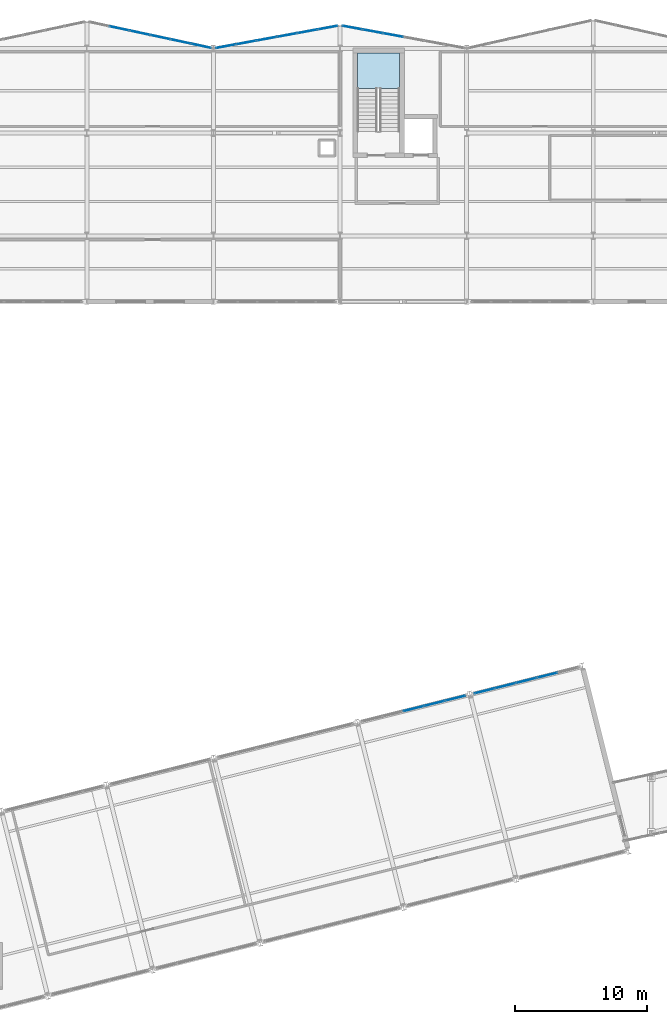
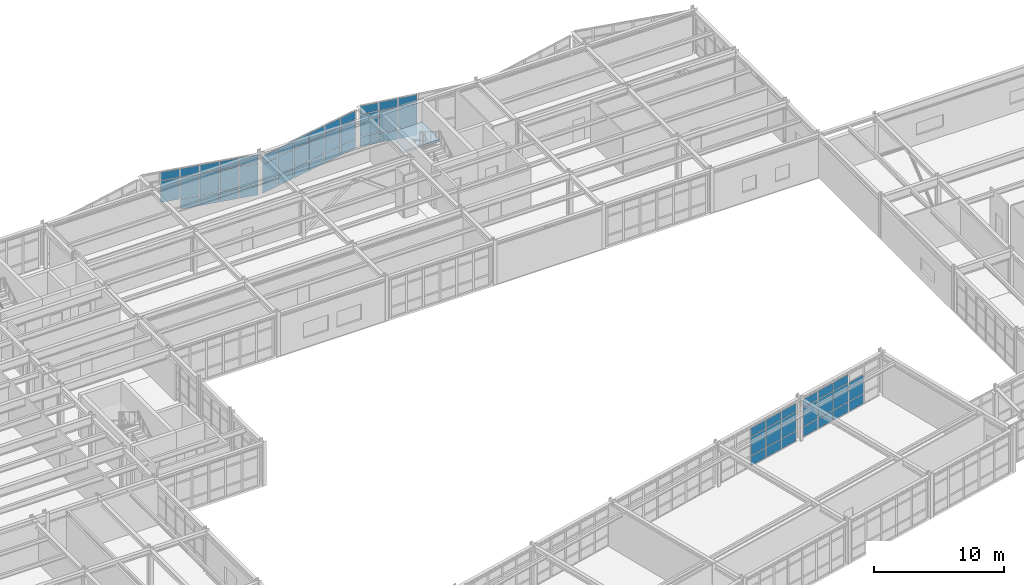
# One storey, part 59 of 88: 61 plates, 1 slab, 6 elements without a shape of their own.
"""IFC4 building model written with IfcOpenShell, lengths in metres."""

import ifcopenshell
import ifcopenshell.guid

model = None  # the IFC model being written
_history = None  # IfcOwnerHistory: only IFC2X3 demands one
_inside = {}  # id of a spatial element -> (the spatial element, [elements in it])
_under = {}  # id of a project, library or spatial element -> (it, [spatial elements below it])
_declared = {}  # id of a project -> (the project, [libraries it declares])
_typed = {}  # id of a type object -> (the type object, [elements of that type])
_made_of = {}  # id of a material, layer set ... -> (it, [elements and type objects made of it])


def new_model(schema):
    """Start an empty IFC model of exactly this schema.

    Asked for "IFC4X3", IfcOpenShell would pick the latest addendum, in which some entities
    have other attributes; the version numbers below select the first issue.
    IFC2X3 requires an IfcOwnerHistory on every rooted entity: one is made here for all.
    """
    global model, _history
    if schema == "IFC4X3":
        model = ifcopenshell.file(schema_version=(4, 3, 0, 0))
    else:
        model = ifcopenshell.file(schema=schema)
    _inside.clear()
    _under.clear()
    _declared.clear()
    _typed.clear()
    _made_of.clear()
    _history = None
    if model.schema == "IFC2X3":
        org = make("IfcOrganization", Name="unknown")
        user = make(
            "IfcPersonAndOrganization",
            ThePerson=make("IfcPerson", FamilyName="unknown"),
            TheOrganization=org,
        )
        app = make(
            "IfcApplication",
            ApplicationDeveloper=org,
            Version="unknown",
            ApplicationFullName="unknown",
            ApplicationIdentifier="unknown",
        )
        _history = make(
            "IfcOwnerHistory",
            OwningUser=user,
            OwningApplication=app,
            ChangeAction="ADDED",
            CreationDate=0,
        )
    return model


def make(cls, **values):
    """One entity of the class cls with the attributes given. An attribute that is None is left unset."""
    return model.create_entity(
        cls, **{name: value for name, value in values.items() if value is not None}
    )


def rooted(cls, **values):
    """An entity with a GlobalId (a new one), such as an element, a storey or a relation."""
    return make(cls, GlobalId=ifcopenshell.guid.new(), OwnerHistory=_history, **values)


def si_unit(unit_type, name, prefix=None):
    """IfcSIUnit, for example si_unit("LENGTHUNIT", "METRE", prefix="MILLI")."""
    return make("IfcSIUnit", UnitType=unit_type, Prefix=prefix, Name=name)


def assignment(units):
    """IfcUnitAssignment: the units of a project."""
    return None if units is None else make("IfcUnitAssignment", Units=units)


def point(xyz):
    """IfcCartesianPoint."""
    return None if xyz is None else make("IfcCartesianPoint", Coordinates=xyz)


def direction(xyz):
    """IfcDirection."""
    return None if xyz is None else make("IfcDirection", DirectionRatios=xyz)


def frame(location, z_axis=None, x_axis=None):
    """IfcAxis2Placement3D, a coordinate frame: its origin and axes. An axis left out is left unset."""
    return make(
        "IfcAxis2Placement3D",
        Location=point(location),
        Axis=direction(z_axis),
        RefDirection=direction(x_axis),
    )


def frame_2d(location, x_axis=None):
    """IfcAxis2Placement2D, a coordinate frame in the plane: its origin and x axis."""
    return make(
        "IfcAxis2Placement2D", Location=point(location), RefDirection=direction(x_axis)
    )


def origin():
    """The frame at (0, 0, 0) with its axes left unset."""
    return frame((0.0, 0.0, 0.0))


def origin_2d():
    """The frame at (0, 0) in the plane with its x axis left unset."""
    return frame_2d((0.0, 0.0))


def place(relative_to, where):
    """IfcLocalPlacement: puts the frame where relative to a parent placement (None: the world)."""
    return make(
        "IfcLocalPlacement", PlacementRelTo=relative_to, RelativePlacement=where
    )


def context(
    kind, dimensions, precision=None, world=None, true_north=None, identifier=None
):
    """IfcGeometricRepresentationContext, for example the 3D "Model" context."""
    return make(
        "IfcGeometricRepresentationContext",
        ContextIdentifier=identifier,
        ContextType=kind,
        CoordinateSpaceDimension=dimensions,
        Precision=precision,
        WorldCoordinateSystem=world,
        TrueNorth=true_north,
    )


def subcontext(parent, identifier, kind, view, scale=None):
    """IfcGeometricRepresentationSubContext, for example "Body" below "Model"."""
    return make(
        "IfcGeometricRepresentationSubContext",
        ContextIdentifier=identifier,
        ContextType=kind,
        ParentContext=parent,
        TargetScale=scale,
        TargetView=view,
    )


def project(units=None, contexts=None):
    """IfcProject with its units and contexts."""
    return rooted(
        "IfcProject",
        Name="project",
        RepresentationContexts=contexts,
        UnitsInContext=assignment(units),
    )


def spatial(cls, under=None, at=None, **own):
    """A site, building, storey or space (cls), placed at a placement, below another one or the project."""
    s = rooted(cls, ObjectPlacement=at, **own)
    if under is not None:
        _under.setdefault(under.id(), (under, []))[1].append(s)
    return s


def polyline(points):
    """IfcPolyline through the points."""
    return make("IfcPolyline", Points=[point(p) for p in points])


def profile(cls, at=None, kind="AREA", **sizes):
    """A parametric profile (cls). Its sizes go by their IFC names, for example OverallWidth=200.0."""
    return make(cls, ProfileType=kind, Position=at, **sizes)


def rectangle(**sizes):
    """IfcRectangleProfileDef."""
    return profile("IfcRectangleProfileDef", **sizes)


def outline(outer, holes=None, kind="AREA"):
    """IfcArbitraryClosedProfileDef: a profile drawn as a closed curve; with holes, ...WithVoids."""
    if holes is None:
        return make("IfcArbitraryClosedProfileDef", ProfileType=kind, OuterCurve=outer)
    return make(
        "IfcArbitraryProfileDefWithVoids",
        ProfileType=kind,
        OuterCurve=outer,
        InnerCurves=holes,
    )


def extrude(swept, where, along, depth):
    """IfcExtrudedAreaSolid: the profile swept, set in the frame where, extruded along a direction by depth."""
    return make(
        "IfcExtrudedAreaSolid",
        SweptArea=swept,
        Position=where,
        ExtrudedDirection=direction(along),
        Depth=depth,
    )


def shape(context_of_items, identifier, shape_type, items):
    """IfcShapeRepresentation: the items that make up one representation, for example the "Body"."""
    return make(
        "IfcShapeRepresentation",
        ContextOfItems=context_of_items,
        RepresentationIdentifier=identifier,
        RepresentationType=shape_type,
        Items=items,
    )


def material(Name=None, Category=None):
    """IfcMaterial."""
    return make("IfcMaterial", Name=Name, Category=Category)


def layer(
    of_material, thickness, ventilated=None, Name=None, Category=None, Priority=None
):
    """IfcMaterialLayer: one layer of a wall or slab, of a material (None: an air gap)."""
    return make(
        "IfcMaterialLayer",
        Material=of_material,
        LayerThickness=thickness,
        IsVentilated=ventilated,
        Name=Name,
        Category=Category,
        Priority=Priority,
    )


def layer_set(layers, Name=None):
    """IfcMaterialLayerSet."""
    return make("IfcMaterialLayerSet", MaterialLayers=layers, LayerSetName=Name)


def made_of(thing, what):
    """Note that an element or type object is made of a material, layer set ...; save() writes the relation."""
    if what is not None:
        _made_of.setdefault(what.id(), (what, []))[1].append(thing)
    return thing


def type_object(cls, material=None, **own):
    """A type object (cls), such as IfcWallType, which elements share."""
    return made_of(rooted(cls, **own), material)


def element(
    cls,
    number,
    at=None,
    inside=None,
    cuts=None,
    type_object=None,
    material=None,
    context=None,
    identifier="Body",
    shape_type=None,
    held_by="IfcProductDefinitionShape",
    body=None,
    shapes=None,
    **own,
):
    """One element of the class cls, such as IfcWall. Its Tag is "e" and its number.

    at: its placement. inside: the storey or other place that contains it. cuts: it is an
    opening in that element (IfcRelVoidsElement). A single representation is given by context,
    identifier, shape_type and body (its items); several are given by shapes. held_by: the class
    of the entity that holds the representations. save() writes the other relations.
    """
    e = rooted(cls, Tag="e%d" % number, ObjectPlacement=at, **own)
    if body is not None:
        shapes = [shape(context, identifier, shape_type, body)]
    if shapes is not None:
        e.Representation = make(held_by, Representations=shapes)
    if inside is not None:
        _inside.setdefault(inside.id(), (inside, []))[1].append(e)
    if cuts is not None:
        rooted(
            "IfcRelVoidsElement", RelatingBuildingElement=cuts, RelatedOpeningElement=e
        )
    if type_object is not None:
        _typed.setdefault(type_object.id(), (type_object, []))[1].append(e)
    return made_of(e, material)


def aggregate(whole, parts):
    """IfcRelAggregates: a whole, such as a stair, and the parts it consists of."""
    return rooted("IfcRelAggregates", RelatingObject=whole, RelatedObjects=parts)


def save(model, path):
    """Write the relations noted so far, then the file.

    IfcRelAggregates (storeys below a building ...), IfcRelContainedInSpatialStructure (elements
    in a storey), IfcRelDefinesByType, IfcRelAssociatesMaterial and IfcRelDeclares: one each for
    every whole, place, type object, material and project.
    """
    for whole, parts in _under.values():
        aggregate(whole, parts)
    for where, things in _inside.values():
        rooted(
            "IfcRelContainedInSpatialStructure",
            RelatedElements=things,
            RelatingStructure=where,
        )
    for kind, things in _typed.values():
        rooted("IfcRelDefinesByType", RelatedObjects=things, RelatingType=kind)
    for what, things in _made_of.values():
        rooted("IfcRelAssociatesMaterial", RelatedObjects=things, RelatingMaterial=what)
    for by, libraries in _declared.values():
        rooted("IfcRelDeclares", RelatingContext=by, RelatedDefinitions=libraries)
    model.write(path)


model = new_model("IFC4")

# Units and contexts
model_context = context("Model", 3, precision=1e-05, world=origin(), true_north=direction((0.0, 1.0)))
body_context = subcontext(model_context, "Body", "Model", "MODEL_VIEW")
ifc_project = project(units=[si_unit("LENGTHUNIT", "METRE"), si_unit("AREAUNIT", "SQUARE_METRE"), si_unit("VOLUMEUNIT", "CUBIC_METRE"), si_unit("PLANEANGLEUNIT", "RADIAN"), si_unit("MASSUNIT", "GRAM", prefix="KILO")], contexts=[model_context])

# Site, building, storey
site_placement = place(None, origin())
site = spatial("IfcSite", under=ifc_project, at=site_placement, CompositionType="ELEMENT")
building_placement = place(site_placement, origin())
building = spatial("IfcBuilding", under=site, at=building_placement, Name="Nordkorset Police Headquarters", CompositionType="ELEMENT")
storey_placement = place(building_placement, frame((0.0, 0.0, 9.449951171875)))
storey = spatial("IfcBuildingStorey", under=building, at=storey_placement, Name="L02", CompositionType="ELEMENT", Elevation=9.449951171875)

# Curtain wall, plates
ifc_material_1 = material(Name="Aluminium alloy AW-6060", Category="aluminium")
ifc_layer_1 = layer(ifc_material_1, 0.179931640625, Name="Aluminium alloy AW-6060")
ifc_layer_set_1 = layer_set([ifc_layer_1], Name="Aluminium alloy AW-6060")
curtain_wall_type_1 = type_object("IfcCurtainWallType", Name="CW_Unit_954x392", PredefinedType="USERDEFINED", material=ifc_layer_set_1)
curtain_wall_1_placement = place(storey_placement, origin())
curtain_wall_1 = element("IfcCurtainWall", 1, at=curtain_wall_1_placement, inside=storey, type_object=curtain_wall_type_1, Name="Unitised Curtain Wall L02 V2N-1", ObjectType="UNITISED CURTAIN WALL", PredefinedType="USERDEFINED")
ifc_material_2 = material(Name="Low-iron triple glazing", Category="glass")
ifc_layer_2 = layer(ifc_material_2, 0.035888671875, Name="Low-iron triple glazing")
ifc_layer_set_2 = layer_set([ifc_layer_2], Name="Low-iron triple glazing")
plate_type = type_object("IfcPlateType", Name="CW_Panel_TripleGlazing_36", PredefinedType="CURTAIN_PANEL", material=ifc_layer_set_2)
plate_1_placement = place(storey_placement, frame((40.868408203125, 118.322998046875, 1.03271484375), z_axis=(0.0, 0.0, 1.0), x_axis=(0.977951416289, -0.208832534289, 0.0)))
plate_1 = element("IfcPlate", 2, at=plate_1_placement, type_object=plate_type, Name="CW-20 panel 2.2", PredefinedType="CURTAIN_PANEL", context=body_context, shape_type="SweptSolid", body=[
    extrude(rectangle(XDim=1.5244140625, YDim=0.035888671875, at=origin_2d()), origin(), (0.0, 0.0, 1.0), 2.0048828125),
])
plate_2_placement = place(storey_placement, frame((40.868408203125, 118.322998046875, 3.1025390625), z_axis=(0.0, 0.0, 1.0), x_axis=(0.977951416289, -0.208832534289, 0.0)))
plate_2 = element("IfcPlate", 3, at=plate_2_placement, type_object=plate_type, Name="CW-20 panel 2.3", PredefinedType="CURTAIN_PANEL", context=body_context, shape_type="SweptSolid", body=[
    extrude(rectangle(XDim=1.5244140625, YDim=0.035888671875, at=origin_2d()), origin(), (0.0, 0.0, 1.0), 0.75244140625),
])
plate_3_placement = place(storey_placement, frame((42.4228515625, 117.990966796875, 0.06494140625), z_axis=(0.0, 0.0, 1.0), x_axis=(0.977951416289, -0.208832534289, 0.0)))
plate_3 = element("IfcPlate", 4, at=plate_3_placement, type_object=plate_type, Name="CW-20 panel 3.1", PredefinedType="CURTAIN_PANEL", context=body_context, shape_type="SweptSolid", body=[
    extrude(rectangle(XDim=1.5244140625, YDim=0.035888671875, at=origin_2d()), origin(), (0.0, 0.0, 1.0), 0.902587890625),
])
plate_4_placement = place(storey_placement, frame((42.4228515625, 117.990966796875, 1.03271484375), z_axis=(0.0, 0.0, 1.0), x_axis=(0.977951416289, -0.208832534289, 0.0)))
plate_4 = element("IfcPlate", 5, at=plate_4_placement, type_object=plate_type, Name="CW-20 panel 3.2", PredefinedType="CURTAIN_PANEL", context=body_context, shape_type="SweptSolid", body=[
    extrude(rectangle(XDim=1.5244140625, YDim=0.035888671875, at=origin_2d()), origin(), (0.0, 0.0, 1.0), 2.0048828125),
])
plate_5_placement = place(storey_placement, frame((42.4228515625, 117.990966796875, 3.1025390625), z_axis=(0.0, 0.0, 1.0), x_axis=(0.977951416289, -0.208832534289, 0.0)))
plate_5 = element("IfcPlate", 6, at=plate_5_placement, type_object=plate_type, Name="CW-20 panel 3.3", PredefinedType="CURTAIN_PANEL", context=body_context, shape_type="SweptSolid", body=[
    extrude(rectangle(XDim=1.5244140625, YDim=0.035888671875, at=origin_2d()), origin(), (0.0, 0.0, 1.0), 0.75244140625),
])
plate_6_placement = place(storey_placement, frame((43.977294921875, 117.658935546875, 0.06494140625), z_axis=(0.0, 0.0, 1.0), x_axis=(0.977951416289, -0.208832534289, 0.0)))
plate_6 = element("IfcPlate", 7, at=plate_6_placement, type_object=plate_type, Name="CW-20 panel 4.1", PredefinedType="CURTAIN_PANEL", context=body_context, shape_type="SweptSolid", body=[
    extrude(rectangle(XDim=1.5244140625, YDim=0.035888671875, at=origin_2d()), origin(), (0.0, 0.0, 1.0), 0.902587890625),
])
plate_7_placement = place(storey_placement, frame((43.977294921875, 117.658935546875, 1.03271484375), z_axis=(0.0, 0.0, 1.0), x_axis=(0.977951416289, -0.208832534289, 0.0)))
plate_7 = element("IfcPlate", 8, at=plate_7_placement, type_object=plate_type, Name="CW-20 panel 4.2", PredefinedType="CURTAIN_PANEL", context=body_context, shape_type="SweptSolid", body=[
    extrude(rectangle(XDim=1.5244140625, YDim=0.035888671875, at=origin_2d()), origin(), (0.0, 0.0, 1.0), 2.0048828125),
])
plate_8_placement = place(storey_placement, frame((43.977294921875, 117.658935546875, 3.1025390625), z_axis=(0.0, 0.0, 1.0), x_axis=(0.977951416289, -0.208832534289, 0.0)))
plate_8 = element("IfcPlate", 9, at=plate_8_placement, type_object=plate_type, Name="CW-20 panel 4.3", PredefinedType="CURTAIN_PANEL", context=body_context, shape_type="SweptSolid", body=[
    extrude(rectangle(XDim=1.5244140625, YDim=0.035888671875, at=origin_2d()), origin(), (0.0, 0.0, 1.0), 0.75244140625),
])
plate_9_placement = place(storey_placement, frame((45.531494140625, 117.3271484375, 0.06494140625), z_axis=(0.0, 0.0, 1.0), x_axis=(0.977951416289, -0.208832534289, 0.0)))
plate_9 = element("IfcPlate", 10, at=plate_9_placement, type_object=plate_type, Name="CW-20 panel 5.1", PredefinedType="CURTAIN_PANEL", context=body_context, shape_type="SweptSolid", body=[
    extrude(rectangle(XDim=1.5244140625, YDim=0.035888671875, at=origin_2d()), origin(), (0.0, 0.0, 1.0), 0.902587890625),
])
plate_10_placement = place(storey_placement, frame((45.531494140625, 117.3271484375, 1.03271484375), z_axis=(0.0, 0.0, 1.0), x_axis=(0.977951416289, -0.208832534289, 0.0)))
plate_10 = element("IfcPlate", 11, at=plate_10_placement, type_object=plate_type, Name="CW-20 panel 5.2", PredefinedType="CURTAIN_PANEL", context=body_context, shape_type="SweptSolid", body=[
    extrude(rectangle(XDim=1.5244140625, YDim=0.035888671875, at=origin_2d()), origin(), (0.0, 0.0, 1.0), 2.0048828125),
])
plate_11_placement = place(storey_placement, frame((45.531494140625, 117.3271484375, 3.1025390625), z_axis=(0.0, 0.0, 1.0), x_axis=(0.977951416289, -0.208832534289, 0.0)))
plate_11 = element("IfcPlate", 12, at=plate_11_placement, type_object=plate_type, Name="CW-20 panel 5.3", PredefinedType="CURTAIN_PANEL", context=body_context, shape_type="SweptSolid", body=[
    extrude(rectangle(XDim=1.5244140625, YDim=0.035888671875, at=origin_2d()), origin(), (0.0, 0.0, 1.0), 0.75244140625),
])
plate_12_placement = place(storey_placement, frame((47.070068359375, 116.99853515625, 0.06494140625), z_axis=(0.0, 0.0, 1.0), x_axis=(0.977951416289, -0.208832534289, 0.0)))
plate_12 = element("IfcPlate", 13, at=plate_12_placement, type_object=plate_type, Name="CW-20 panel 6.1", PredefinedType="CURTAIN_PANEL", context=body_context, shape_type="SweptSolid", body=[
    extrude(rectangle(XDim=1.491943359375, YDim=0.035888671875, at=origin_2d()), origin(), (0.0, 0.0, 1.0), 0.902587890625),
])
plate_13_placement = place(storey_placement, frame((47.070068359375, 116.99853515625, 1.03271484375), z_axis=(0.0, 0.0, 1.0), x_axis=(0.977951416289, -0.208832534289, 0.0)))
plate_13 = element("IfcPlate", 14, at=plate_13_placement, type_object=plate_type, Name="CW-20 panel 6.2", PredefinedType="CURTAIN_PANEL", context=body_context, shape_type="SweptSolid", body=[
    extrude(rectangle(XDim=1.491943359375, YDim=0.035888671875, at=origin_2d()), origin(), (0.0, 0.0, 1.0), 2.0048828125),
])
plate_14_placement = place(storey_placement, frame((47.070068359375, 116.99853515625, 3.1025390625), z_axis=(0.0, 0.0, 1.0), x_axis=(0.977951416289, -0.208832534289, 0.0)))
plate_14 = element("IfcPlate", 15, at=plate_14_placement, type_object=plate_type, Name="CW-20 panel 6.3", PredefinedType="CURTAIN_PANEL", context=body_context, shape_type="SweptSolid", body=[
    extrude(rectangle(XDim=1.491943359375, YDim=0.035888671875, at=origin_2d()), origin(), (0.0, 0.0, 1.0), 0.75244140625),
])
aggregate(curtain_wall_1, [plate_1, plate_2, plate_3, plate_4, plate_5, plate_6, plate_7, plate_8, plate_9, plate_10, plate_11, plate_12, plate_13, plate_14])

ifc_material_3 = material(Name="Aluminium alloy AW-6060", Category="aluminium")
ifc_layer_3 = layer(ifc_material_3, 0.179931640625, Name="Aluminium alloy AW-6060")
ifc_layer_set_3 = layer_set([ifc_layer_3], Name="Aluminium alloy AW-6060")
curtain_wall_type_2 = type_object("IfcCurtainWallType", Name="CW_Unit_948x364", PredefinedType="USERDEFINED", material=ifc_layer_set_3)
curtain_wall_2_placement = place(storey_placement, origin())
curtain_wall_2 = element("IfcCurtainWall", 16, at=curtain_wall_2_placement, inside=storey, type_object=curtain_wall_type_2, Name="Unitised Curtain Wall L02 V2N-2", ObjectType="UNITISED CURTAIN WALL", PredefinedType="USERDEFINED")
plate_15_placement = place(storey_placement, frame((48.9306640625, 116.9697265625, 0.06494140625), z_axis=(0.0, 0.0, 1.0), x_axis=(0.983787934979, 0.179335715876, 0.0)))
plate_15 = element("IfcPlate", 17, at=plate_15_placement, type_object=plate_type, Name="CW-73 panel 1.1", PredefinedType="CURTAIN_PANEL", context=body_context, shape_type="SweptSolid", body=[
    extrude(rectangle(XDim=1.482177734375, YDim=0.035888671875, at=origin_2d()), origin(), (0.0, 0.0, 1.0), 0.902587890625),
])
plate_16_placement = place(storey_placement, frame((48.9306640625, 116.9697265625, 1.032470703125), z_axis=(0.0, 0.0, 1.0), x_axis=(0.983787934979, 0.179335715876, 0.0)))
plate_16 = element("IfcPlate", 18, at=plate_16_placement, type_object=plate_type, Name="CW-73 panel 1.2", PredefinedType="CURTAIN_PANEL", context=body_context, shape_type="SweptSolid", body=[
    extrude(rectangle(XDim=1.482177734375, YDim=0.035888671875, at=origin_2d()), origin(), (0.0, 0.0, 1.0), 1.72509765625),
])
plate_17_placement = place(storey_placement, frame((48.9306640625, 116.9697265625, 2.822509765625), z_axis=(0.0, 0.0, 1.0), x_axis=(0.983787934979, 0.179335715876, 0.0)))
plate_17 = element("IfcPlate", 19, at=plate_17_placement, type_object=plate_type, Name="CW-73 panel 1.3", PredefinedType="CURTAIN_PANEL", context=body_context, shape_type="SweptSolid", body=[
    extrude(rectangle(XDim=1.482177734375, YDim=0.035888671875, at=origin_2d()), origin(), (0.0, 0.0, 1.0), 0.75244140625),
])
plate_18_placement = place(storey_placement, frame((50.46875, 117.25, 0.06494140625), z_axis=(0.0, 0.0, 1.0), x_axis=(0.983787934979, 0.179335715876, 0.0)))
plate_18 = element("IfcPlate", 20, at=plate_18_placement, type_object=plate_type, Name="CW-73 panel 2.1", PredefinedType="CURTAIN_PANEL", context=body_context, shape_type="SweptSolid", body=[
    extrude(rectangle(XDim=1.5146484375, YDim=0.035888671875, at=origin_2d()), origin(), (0.0, 0.0, 1.0), 0.902587890625),
])
plate_19_placement = place(storey_placement, frame((50.46875, 117.25, 1.032470703125), z_axis=(0.0, 0.0, 1.0), x_axis=(0.983787934979, 0.179335715876, 0.0)))
plate_19 = element("IfcPlate", 21, at=plate_19_placement, type_object=plate_type, Name="CW-73 panel 2.2", PredefinedType="CURTAIN_PANEL", context=body_context, shape_type="SweptSolid", body=[
    extrude(rectangle(XDim=1.5146484375, YDim=0.035888671875, at=origin_2d()), origin(), (0.0, 0.0, 1.0), 1.72509765625),
])
plate_20_placement = place(storey_placement, frame((50.46875, 117.25, 2.822509765625), z_axis=(0.0, 0.0, 1.0), x_axis=(0.983787934979, 0.179335715876, 0.0)))
plate_20 = element("IfcPlate", 22, at=plate_20_placement, type_object=plate_type, Name="CW-73 panel 2.3", PredefinedType="CURTAIN_PANEL", context=body_context, shape_type="SweptSolid", body=[
    extrude(rectangle(XDim=1.5146484375, YDim=0.035888671875, at=origin_2d()), origin(), (0.0, 0.0, 1.0), 0.75244140625),
])
plate_21_placement = place(storey_placement, frame((52.02294921875, 117.533447265625, 0.06494140625), z_axis=(0.0, 0.0, 1.0), x_axis=(0.983787934979, 0.179335715876, 0.0)))
plate_21 = element("IfcPlate", 23, at=plate_21_placement, type_object=plate_type, Name="CW-73 panel 3.1", PredefinedType="CURTAIN_PANEL", context=body_context, shape_type="SweptSolid", body=[
    extrude(rectangle(XDim=1.5146484375, YDim=0.035888671875, at=origin_2d()), origin(), (0.0, 0.0, 1.0), 0.902587890625),
])
plate_22_placement = place(storey_placement, frame((52.02294921875, 117.533447265625, 1.032470703125), z_axis=(0.0, 0.0, 1.0), x_axis=(0.983787934979, 0.179335715876, 0.0)))
plate_22 = element("IfcPlate", 24, at=plate_22_placement, type_object=plate_type, Name="CW-73 panel 3.2", PredefinedType="CURTAIN_PANEL", context=body_context, shape_type="SweptSolid", body=[
    extrude(rectangle(XDim=1.5146484375, YDim=0.035888671875, at=origin_2d()), origin(), (0.0, 0.0, 1.0), 1.72509765625),
])
plate_23_placement = place(storey_placement, frame((52.02294921875, 117.533447265625, 2.822509765625), z_axis=(0.0, 0.0, 1.0), x_axis=(0.983787934979, 0.179335715876, 0.0)))
plate_23 = element("IfcPlate", 25, at=plate_23_placement, type_object=plate_type, Name="CW-73 panel 3.3", PredefinedType="CURTAIN_PANEL", context=body_context, shape_type="SweptSolid", body=[
    extrude(rectangle(XDim=1.5146484375, YDim=0.035888671875, at=origin_2d()), origin(), (0.0, 0.0, 1.0), 0.75244140625),
])
plate_24_placement = place(storey_placement, frame((53.5771484375, 117.816650390625, 0.06494140625), z_axis=(0.0, 0.0, 1.0), x_axis=(0.983787934979, 0.179335715876, 0.0)))
plate_24 = element("IfcPlate", 26, at=plate_24_placement, type_object=plate_type, Name="CW-73 panel 4.1", PredefinedType="CURTAIN_PANEL", context=body_context, shape_type="SweptSolid", body=[
    extrude(rectangle(XDim=1.5146484375, YDim=0.035888671875, at=origin_2d()), origin(), (0.0, 0.0, 1.0), 0.902587890625),
])
plate_25_placement = place(storey_placement, frame((53.5771484375, 117.816650390625, 1.032470703125), z_axis=(0.0, 0.0, 1.0), x_axis=(0.983787934979, 0.179335715876, 0.0)))
plate_25 = element("IfcPlate", 27, at=plate_25_placement, type_object=plate_type, Name="CW-73 panel 4.2", PredefinedType="CURTAIN_PANEL", context=body_context, shape_type="SweptSolid", body=[
    extrude(rectangle(XDim=1.5146484375, YDim=0.035888671875, at=origin_2d()), origin(), (0.0, 0.0, 1.0), 1.72509765625),
])
plate_26_placement = place(storey_placement, frame((53.5771484375, 117.816650390625, 2.822509765625), z_axis=(0.0, 0.0, 1.0), x_axis=(0.983787934979, 0.179335715876, 0.0)))
plate_26 = element("IfcPlate", 28, at=plate_26_placement, type_object=plate_type, Name="CW-73 panel 4.3", PredefinedType="CURTAIN_PANEL", context=body_context, shape_type="SweptSolid", body=[
    extrude(rectangle(XDim=1.5146484375, YDim=0.035888671875, at=origin_2d()), origin(), (0.0, 0.0, 1.0), 0.75244140625),
])
plate_27_placement = place(storey_placement, frame((55.131103515625, 118.099853515625, 0.06494140625), z_axis=(0.0, 0.0, 1.0), x_axis=(0.983787934979, 0.179335715876, 0.0)))
plate_27 = element("IfcPlate", 29, at=plate_27_placement, type_object=plate_type, Name="CW-73 panel 5.1", PredefinedType="CURTAIN_PANEL", context=body_context, shape_type="SweptSolid", body=[
    extrude(rectangle(XDim=1.5146484375, YDim=0.035888671875, at=origin_2d()), origin(), (0.0, 0.0, 1.0), 0.902587890625),
])
plate_28_placement = place(storey_placement, frame((55.131103515625, 118.099853515625, 1.032470703125), z_axis=(0.0, 0.0, 1.0), x_axis=(0.983787934979, 0.179335715876, 0.0)))
plate_28 = element("IfcPlate", 30, at=plate_28_placement, type_object=plate_type, Name="CW-73 panel 5.2", PredefinedType="CURTAIN_PANEL", context=body_context, shape_type="SweptSolid", body=[
    extrude(rectangle(XDim=1.5146484375, YDim=0.035888671875, at=origin_2d()), origin(), (0.0, 0.0, 1.0), 1.72509765625),
])
plate_29_placement = place(storey_placement, frame((55.131103515625, 118.099853515625, 2.822509765625), z_axis=(0.0, 0.0, 1.0), x_axis=(0.983787934979, 0.179335715876, 0.0)))
plate_29 = element("IfcPlate", 31, at=plate_29_placement, type_object=plate_type, Name="CW-73 panel 5.3", PredefinedType="CURTAIN_PANEL", context=body_context, shape_type="SweptSolid", body=[
    extrude(rectangle(XDim=1.5146484375, YDim=0.035888671875, at=origin_2d()), origin(), (0.0, 0.0, 1.0), 0.75244140625),
])
plate_30_placement = place(storey_placement, frame((56.669189453125, 118.38037109375, 0.06494140625), z_axis=(0.0, 0.0, 1.0), x_axis=(0.983787934979, 0.179335715876, 0.0)))
plate_30 = element("IfcPlate", 32, at=plate_30_placement, type_object=plate_type, Name="CW-73 panel 6.1", PredefinedType="CURTAIN_PANEL", context=body_context, shape_type="SweptSolid", body=[
    extrude(rectangle(XDim=1.482177734375, YDim=0.035888671875, at=origin_2d()), origin(), (0.0, 0.0, 1.0), 0.902587890625),
])
plate_31_placement = place(storey_placement, frame((56.669189453125, 118.38037109375, 1.032470703125), z_axis=(0.0, 0.0, 1.0), x_axis=(0.983787934979, 0.179335715876, 0.0)))
plate_31 = element("IfcPlate", 33, at=plate_31_placement, type_object=plate_type, Name="CW-73 panel 6.2", PredefinedType="CURTAIN_PANEL", context=body_context, shape_type="SweptSolid", body=[
    extrude(rectangle(XDim=1.482177734375, YDim=0.035888671875, at=origin_2d()), origin(), (0.0, 0.0, 1.0), 1.72509765625),
])
plate_32_placement = place(storey_placement, frame((56.669189453125, 118.38037109375, 2.822509765625), z_axis=(0.0, 0.0, 1.0), x_axis=(0.983787934979, 0.179335715876, 0.0)))
plate_32 = element("IfcPlate", 34, at=plate_32_placement, type_object=plate_type, Name="CW-73 panel 6.3", PredefinedType="CURTAIN_PANEL", context=body_context, shape_type="SweptSolid", body=[
    extrude(rectangle(XDim=1.482177734375, YDim=0.035888671875, at=origin_2d()), origin(), (0.0, 0.0, 1.0), 0.75244140625),
])
aggregate(curtain_wall_2, [plate_15, plate_16, plate_17, plate_18, plate_19, plate_20, plate_21, plate_22, plate_23, plate_24, plate_25, plate_26, plate_27, plate_28, plate_29, plate_30, plate_31, plate_32])

ifc_material_4 = material(Name="Aluminium alloy AW-6060", Category="aluminium")
ifc_layer_4 = layer(ifc_material_4, 0.179931640625, Name="Aluminium alloy AW-6060")
ifc_layer_set_4 = layer_set([ifc_layer_4], Name="Aluminium alloy AW-6060")
curtain_wall_type_3 = type_object("IfcCurtainWallType", Name="CW_Unit_948x392", PredefinedType="USERDEFINED", material=ifc_layer_set_4)
curtain_wall_3_placement = place(storey_placement, origin())
curtain_wall_3 = element("IfcCurtainWall", 35, at=curtain_wall_3_placement, inside=storey, type_object=curtain_wall_type_3, Name="Unitised Curtain Wall L02 V2N-3", ObjectType="UNITISED CURTAIN WALL", PredefinedType="USERDEFINED")
plate_33_placement = place(storey_placement, frame((58.53076171875, 118.38037109375, 0.06494140625), z_axis=(0.0, 0.0, 1.0), x_axis=(0.983787934979, -0.179335715876, 0.0)))
plate_33 = element("IfcPlate", 36, at=plate_33_placement, type_object=plate_type, Name="CW-65 panel 1.1", PredefinedType="CURTAIN_PANEL", context=body_context, shape_type="SweptSolid", body=[
    extrude(rectangle(XDim=1.482177734375, YDim=0.035888671875, at=origin_2d()), origin(), (0.0, 0.0, 1.0), 0.902587890625),
])
plate_34_placement = place(storey_placement, frame((58.53076171875, 118.38037109375, 1.03271484375), z_axis=(0.0, 0.0, 1.0), x_axis=(0.983787934979, -0.179335715876, 0.0)))
plate_34 = element("IfcPlate", 37, at=plate_34_placement, type_object=plate_type, Name="CW-65 panel 1.2", PredefinedType="CURTAIN_PANEL", context=body_context, shape_type="SweptSolid", body=[
    extrude(rectangle(XDim=1.482177734375, YDim=0.035888671875, at=origin_2d()), origin(), (0.0, 0.0, 1.0), 2.0048828125),
])
plate_35_placement = place(storey_placement, frame((58.53076171875, 118.38037109375, 3.1025390625), z_axis=(0.0, 0.0, 1.0), x_axis=(0.983787934979, -0.179335715876, 0.0)))
plate_35 = element("IfcPlate", 38, at=plate_35_placement, type_object=plate_type, Name="CW-65 panel 1.3", PredefinedType="CURTAIN_PANEL", context=body_context, shape_type="SweptSolid", body=[
    extrude(rectangle(XDim=1.482177734375, YDim=0.035888671875, at=origin_2d()), origin(), (0.0, 0.0, 1.0), 0.75244140625),
])
plate_36_placement = place(storey_placement, frame((60.06884765625, 118.099853515625, 0.06494140625), z_axis=(0.0, 0.0, 1.0), x_axis=(0.983787934979, -0.179335715876, 0.0)))
plate_36 = element("IfcPlate", 39, at=plate_36_placement, type_object=plate_type, Name="CW-65 panel 2.1", PredefinedType="CURTAIN_PANEL", context=body_context, shape_type="SweptSolid", body=[
    extrude(rectangle(XDim=1.5146484375, YDim=0.035888671875, at=origin_2d()), origin(), (0.0, 0.0, 1.0), 0.902587890625),
])
plate_37_placement = place(storey_placement, frame((60.06884765625, 118.099853515625, 1.03271484375), z_axis=(0.0, 0.0, 1.0), x_axis=(0.983787934979, -0.179335715876, 0.0)))
plate_37 = element("IfcPlate", 40, at=plate_37_placement, type_object=plate_type, Name="CW-65 panel 2.2", PredefinedType="CURTAIN_PANEL", context=body_context, shape_type="SweptSolid", body=[
    extrude(rectangle(XDim=1.5146484375, YDim=0.035888671875, at=origin_2d()), origin(), (0.0, 0.0, 1.0), 2.0048828125),
])
plate_38_placement = place(storey_placement, frame((60.06884765625, 118.099853515625, 3.1025390625), z_axis=(0.0, 0.0, 1.0), x_axis=(0.983787934979, -0.179335715876, 0.0)))
plate_38 = element("IfcPlate", 41, at=plate_38_placement, type_object=plate_type, Name="CW-65 panel 2.3", PredefinedType="CURTAIN_PANEL", context=body_context, shape_type="SweptSolid", body=[
    extrude(rectangle(XDim=1.5146484375, YDim=0.035888671875, at=origin_2d()), origin(), (0.0, 0.0, 1.0), 0.75244140625),
])
plate_39_placement = place(storey_placement, frame((61.623046875, 117.816650390625, 0.06494140625), z_axis=(0.0, 0.0, 1.0), x_axis=(0.983787934979, -0.179335715876, 0.0)))
plate_39 = element("IfcPlate", 42, at=plate_39_placement, type_object=plate_type, Name="CW-65 panel 3.1", PredefinedType="CURTAIN_PANEL", context=body_context, shape_type="SweptSolid", body=[
    extrude(rectangle(XDim=1.5146484375, YDim=0.035888671875, at=origin_2d()), origin(), (0.0, 0.0, 1.0), 0.902587890625),
])
plate_40_placement = place(storey_placement, frame((61.623046875, 117.816650390625, 1.03271484375), z_axis=(0.0, 0.0, 1.0), x_axis=(0.983787934979, -0.179335715876, 0.0)))
plate_40 = element("IfcPlate", 43, at=plate_40_placement, type_object=plate_type, Name="CW-65 panel 3.2", PredefinedType="CURTAIN_PANEL", context=body_context, shape_type="SweptSolid", body=[
    extrude(rectangle(XDim=1.5146484375, YDim=0.035888671875, at=origin_2d()), origin(), (0.0, 0.0, 1.0), 2.0048828125),
])
plate_41_placement = place(storey_placement, frame((61.623046875, 117.816650390625, 3.1025390625), z_axis=(0.0, 0.0, 1.0), x_axis=(0.983787934979, -0.179335715876, 0.0)))
plate_41 = element("IfcPlate", 44, at=plate_41_placement, type_object=plate_type, Name="CW-65 panel 3.3", PredefinedType="CURTAIN_PANEL", context=body_context, shape_type="SweptSolid", body=[
    extrude(rectangle(XDim=1.5146484375, YDim=0.035888671875, at=origin_2d()), origin(), (0.0, 0.0, 1.0), 0.75244140625),
])
aggregate(curtain_wall_3, [plate_33, plate_34, plate_35, plate_36, plate_37, plate_38, plate_39, plate_40, plate_41])

ifc_material_5 = material(Name="Aluminium alloy AW-6060", Category="aluminium")
ifc_layer_5 = layer(ifc_material_5, 0.179931640625, Name="Aluminium alloy AW-6060")
ifc_layer_set_5 = layer_set([ifc_layer_5], Name="Aluminium alloy AW-6060")
curtain_wall_type_4 = type_object("IfcCurtainWallType", Name="CW_Unit_816x364", PredefinedType="USERDEFINED", material=ifc_layer_set_5)
curtain_wall_4_placement = place(storey_placement, origin())
curtain_wall_4 = element("IfcCurtainWall", 45, at=curtain_wall_4_placement, inside=storey, type_object=curtain_wall_type_4, Name="Unitised Curtain Wall L02 V4N-4", ObjectType="UNITISED CURTAIN WALL", PredefinedType="USERDEFINED")
plate_42_placement = place(storey_placement, frame((63.181884765625, 66.738525390625, 0.06494140625), z_axis=(0.0, 0.0, 1.0), x_axis=(0.970142572234, 0.242535336683, 0.0)))
plate_42 = element("IfcPlate", 46, at=plate_42_placement, type_object=plate_type, Name="CW-64 panel 3.1", PredefinedType="CURTAIN_PANEL", context=body_context, shape_type="SweptSolid", body=[
    extrude(rectangle(XDim=1.56689453125, YDim=0.035888671875, at=origin_2d()), origin(), (0.0, 0.0, 1.0), 0.902587890625),
])
plate_43_placement = place(storey_placement, frame((63.181884765625, 66.738525390625, 1.032470703125), z_axis=(0.0, 0.0, 1.0), x_axis=(0.970142572234, 0.242535336683, 0.0)))
plate_43 = element("IfcPlate", 47, at=plate_43_placement, type_object=plate_type, Name="CW-64 panel 3.2", PredefinedType="CURTAIN_PANEL", context=body_context, shape_type="SweptSolid", body=[
    extrude(rectangle(XDim=1.56689453125, YDim=0.035888671875, at=origin_2d()), origin(), (0.0, 0.0, 1.0), 1.72509765625),
])
plate_44_placement = place(storey_placement, frame((63.181884765625, 66.738525390625, 2.822509765625), z_axis=(0.0, 0.0, 1.0), x_axis=(0.970142572234, 0.242535336683, 0.0)))
plate_44 = element("IfcPlate", 48, at=plate_44_placement, type_object=plate_type, Name="CW-64 panel 3.3", PredefinedType="CURTAIN_PANEL", context=body_context, shape_type="SweptSolid", body=[
    extrude(rectangle(XDim=1.56689453125, YDim=0.035888671875, at=origin_2d()), origin(), (0.0, 0.0, 1.0), 0.75244140625),
])
plate_45_placement = place(storey_placement, frame((64.76513671875, 67.134521484375, 0.06494140625), z_axis=(0.0, 0.0, 1.0), x_axis=(0.970142572234, 0.242535336683, 0.0)))
plate_45 = element("IfcPlate", 49, at=plate_45_placement, type_object=plate_type, Name="CW-64 panel 4.1", PredefinedType="CURTAIN_PANEL", context=body_context, shape_type="SweptSolid", body=[
    extrude(rectangle(XDim=1.56689453125, YDim=0.035888671875, at=origin_2d()), origin(), (0.0, 0.0, 1.0), 0.902587890625),
])
plate_46_placement = place(storey_placement, frame((64.76513671875, 67.134521484375, 1.032470703125), z_axis=(0.0, 0.0, 1.0), x_axis=(0.970142572234, 0.242535336683, 0.0)))
plate_46 = element("IfcPlate", 50, at=plate_46_placement, type_object=plate_type, Name="CW-64 panel 4.2", PredefinedType="CURTAIN_PANEL", context=body_context, shape_type="SweptSolid", body=[
    extrude(rectangle(XDim=1.56689453125, YDim=0.035888671875, at=origin_2d()), origin(), (0.0, 0.0, 1.0), 1.72509765625),
])
plate_47_placement = place(storey_placement, frame((64.76513671875, 67.134521484375, 2.822509765625), z_axis=(0.0, 0.0, 1.0), x_axis=(0.970142572234, 0.242535336683, 0.0)))
plate_47 = element("IfcPlate", 51, at=plate_47_placement, type_object=plate_type, Name="CW-64 panel 4.3", PredefinedType="CURTAIN_PANEL", context=body_context, shape_type="SweptSolid", body=[
    extrude(rectangle(XDim=1.56689453125, YDim=0.035888671875, at=origin_2d()), origin(), (0.0, 0.0, 1.0), 0.75244140625),
])
plate_48_placement = place(storey_placement, frame((66.33251953125, 67.5263671875, 0.06494140625), z_axis=(0.0, 0.0, 1.0), x_axis=(0.970142572234, 0.242535336683, 0.0)))
plate_48 = element("IfcPlate", 52, at=plate_48_placement, type_object=plate_type, Name="CW-64 panel 5.1", PredefinedType="CURTAIN_PANEL", context=body_context, shape_type="SweptSolid", body=[
    extrude(rectangle(XDim=1.534423828125, YDim=0.035888671875, at=origin_2d()), origin(), (0.0, 0.0, 1.0), 0.902587890625),
])
plate_49_placement = place(storey_placement, frame((66.33251953125, 67.5263671875, 1.032470703125), z_axis=(0.0, 0.0, 1.0), x_axis=(0.970142572234, 0.242535336683, 0.0)))
plate_49 = element("IfcPlate", 53, at=plate_49_placement, type_object=plate_type, Name="CW-64 panel 5.2", PredefinedType="CURTAIN_PANEL", context=body_context, shape_type="SweptSolid", body=[
    extrude(rectangle(XDim=1.534423828125, YDim=0.035888671875, at=origin_2d()), origin(), (0.0, 0.0, 1.0), 1.72509765625),
])
plate_50_placement = place(storey_placement, frame((66.33251953125, 67.5263671875, 2.822509765625), z_axis=(0.0, 0.0, 1.0), x_axis=(0.970142572234, 0.242535336683, 0.0)))
plate_50 = element("IfcPlate", 54, at=plate_50_placement, type_object=plate_type, Name="CW-64 panel 5.3", PredefinedType="CURTAIN_PANEL", context=body_context, shape_type="SweptSolid", body=[
    extrude(rectangle(XDim=1.534423828125, YDim=0.035888671875, at=origin_2d()), origin(), (0.0, 0.0, 1.0), 0.75244140625),
])
aggregate(curtain_wall_4, [plate_42, plate_43, plate_44, plate_45, plate_46, plate_47, plate_48, plate_49, plate_50])

curtain_wall_5_placement = place(storey_placement, origin())
curtain_wall_5 = element("IfcCurtainWall", 55, at=curtain_wall_5_placement, inside=storey, type_object=curtain_wall_type_4, Name="Unitised Curtain Wall L02 V4N-5", ObjectType="UNITISED CURTAIN WALL", PredefinedType="USERDEFINED")
plate_51_placement = place(storey_placement, frame((68.568359375, 68.085205078125, 0.06494140625), z_axis=(0.0, 0.0, 1.0), x_axis=(0.970142500145, 0.242535625038, 0.0)))
plate_51 = element("IfcPlate", 56, at=plate_51_placement, type_object=plate_type, Name="CW-64 panel 1.1", PredefinedType="CURTAIN_PANEL", context=body_context, shape_type="SweptSolid", body=[
    extrude(rectangle(XDim=1.534423828125, YDim=0.035888671875, at=origin_2d()), origin(), (0.0, 0.0, 1.0), 0.902587890625),
])
plate_52_placement = place(storey_placement, frame((68.568359375, 68.085205078125, 1.032470703125), z_axis=(0.0, 0.0, 1.0), x_axis=(0.970142500145, 0.242535625038, 0.0)))
plate_52 = element("IfcPlate", 57, at=plate_52_placement, type_object=plate_type, Name="CW-64 panel 1.2", PredefinedType="CURTAIN_PANEL", context=body_context, shape_type="SweptSolid", body=[
    extrude(rectangle(XDim=1.534423828125, YDim=0.035888671875, at=origin_2d()), origin(), (0.0, 0.0, 1.0), 1.72509765625),
])
plate_53_placement = place(storey_placement, frame((68.568359375, 68.085205078125, 2.822509765625), z_axis=(0.0, 0.0, 1.0), x_axis=(0.970142500145, 0.242535625038, 0.0)))
plate_53 = element("IfcPlate", 58, at=plate_53_placement, type_object=plate_type, Name="CW-64 panel 1.3", PredefinedType="CURTAIN_PANEL", context=body_context, shape_type="SweptSolid", body=[
    extrude(rectangle(XDim=1.534423828125, YDim=0.035888671875, at=origin_2d()), origin(), (0.0, 0.0, 1.0), 0.75244140625),
])
plate_54_placement = place(storey_placement, frame((70.1357421875, 68.47705078125, 0.06494140625), z_axis=(0.0, 0.0, 1.0), x_axis=(0.970142500145, 0.242535625038, 0.0)))
plate_54 = element("IfcPlate", 59, at=plate_54_placement, type_object=plate_type, Name="CW-64 panel 2.1", PredefinedType="CURTAIN_PANEL", context=body_context, shape_type="SweptSolid", body=[
    extrude(rectangle(XDim=1.56689453125, YDim=0.035888671875, at=origin_2d()), origin(), (0.0, 0.0, 1.0), 0.902587890625),
])
plate_55_placement = place(storey_placement, frame((70.1357421875, 68.47705078125, 1.032470703125), z_axis=(0.0, 0.0, 1.0), x_axis=(0.970142500145, 0.242535625038, 0.0)))
plate_55 = element("IfcPlate", 60, at=plate_55_placement, type_object=plate_type, Name="CW-64 panel 2.2", PredefinedType="CURTAIN_PANEL", context=body_context, shape_type="SweptSolid", body=[
    extrude(rectangle(XDim=1.56689453125, YDim=0.035888671875, at=origin_2d()), origin(), (0.0, 0.0, 1.0), 1.72509765625),
])
plate_56_placement = place(storey_placement, frame((70.1357421875, 68.47705078125, 2.822509765625), z_axis=(0.0, 0.0, 1.0), x_axis=(0.970142500145, 0.242535625038, 0.0)))
plate_56 = element("IfcPlate", 61, at=plate_56_placement, type_object=plate_type, Name="CW-64 panel 2.3", PredefinedType="CURTAIN_PANEL", context=body_context, shape_type="SweptSolid", body=[
    extrude(rectangle(XDim=1.56689453125, YDim=0.035888671875, at=origin_2d()), origin(), (0.0, 0.0, 1.0), 0.75244140625),
])
plate_57_placement = place(storey_placement, frame((71.718994140625, 68.873046875, 0.06494140625), z_axis=(0.0, 0.0, 1.0), x_axis=(0.970142500145, 0.242535625038, 0.0)))
plate_57 = element("IfcPlate", 62, at=plate_57_placement, type_object=plate_type, Name="CW-64 panel 3.1", PredefinedType="CURTAIN_PANEL", context=body_context, shape_type="SweptSolid", body=[
    extrude(rectangle(XDim=1.56689453125, YDim=0.035888671875, at=origin_2d()), origin(), (0.0, 0.0, 1.0), 0.902587890625),
])
plate_58_placement = place(storey_placement, frame((71.718994140625, 68.873046875, 1.032470703125), z_axis=(0.0, 0.0, 1.0), x_axis=(0.970142500145, 0.242535625038, 0.0)))
plate_58 = element("IfcPlate", 63, at=plate_58_placement, type_object=plate_type, Name="CW-64 panel 3.2", PredefinedType="CURTAIN_PANEL", context=body_context, shape_type="SweptSolid", body=[
    extrude(rectangle(XDim=1.56689453125, YDim=0.035888671875, at=origin_2d()), origin(), (0.0, 0.0, 1.0), 1.72509765625),
])
plate_59_placement = place(storey_placement, frame((71.718994140625, 68.873046875, 2.822509765625), z_axis=(0.0, 0.0, 1.0), x_axis=(0.970142500145, 0.242535625038, 0.0)))
plate_59 = element("IfcPlate", 64, at=plate_59_placement, type_object=plate_type, Name="CW-64 panel 3.3", PredefinedType="CURTAIN_PANEL", context=body_context, shape_type="SweptSolid", body=[
    extrude(rectangle(XDim=1.56689453125, YDim=0.035888671875, at=origin_2d()), origin(), (0.0, 0.0, 1.0), 0.75244140625),
])
plate_60_placement = place(storey_placement, frame((73.30224609375, 69.268798828125, 0.06494140625), z_axis=(0.0, 0.0, 1.0), x_axis=(0.970142500145, 0.242535625038, 0.0)))
plate_60 = element("IfcPlate", 65, at=plate_60_placement, type_object=plate_type, Name="CW-64 panel 4.1", PredefinedType="CURTAIN_PANEL", context=body_context, shape_type="SweptSolid", body=[
    extrude(rectangle(XDim=1.56689453125, YDim=0.035888671875, at=origin_2d()), origin(), (0.0, 0.0, 1.0), 0.902587890625),
])
plate_61_placement = place(storey_placement, frame((73.30224609375, 69.268798828125, 1.032470703125), z_axis=(0.0, 0.0, 1.0), x_axis=(0.970142500145, 0.242535625038, 0.0)))
plate_61 = element("IfcPlate", 66, at=plate_61_placement, type_object=plate_type, Name="CW-64 panel 4.2", PredefinedType="CURTAIN_PANEL", context=body_context, shape_type="SweptSolid", body=[
    extrude(rectangle(XDim=1.56689453125, YDim=0.035888671875, at=origin_2d()), origin(), (0.0, 0.0, 1.0), 1.72509765625),
])
aggregate(curtain_wall_5, [plate_51, plate_52, plate_53, plate_54, plate_55, plate_56, plate_57, plate_58, plate_59, plate_60, plate_61])

# Stair, slab
ifc_material_6 = material(Name="Concrete C35/45", Category="concrete")
stair_type = type_object("IfcStairType", Name="ST-42", PredefinedType="HALF_TURN_STAIR", material=ifc_material_6)
stair_placement = place(storey_placement, origin())
stair = element("IfcStair", 67, at=stair_placement, inside=storey, type_object=stair_type, Name="L02 Protected Escape Stair ST-02", PredefinedType="HALF_TURN_STAIR")
ifc_material_7 = material(Name="Concrete C35/45", Category="concrete")
ifc_layer_6 = layer(ifc_material_7, 0.199951171875, Name="Concrete C35/45")
ifc_layer_set_6 = layer_set([ifc_layer_6], Name="Concrete C35/45")
slab_type = type_object("IfcSlabType", Name="Slab_StairLanding_200", PredefinedType="LANDING", material=ifc_layer_set_6)
slab_placement = place(storey_placement, frame((0.0, 0.0, 1.900146484375)))
slab = element("IfcSlab", 68, at=slab_placement, type_object=slab_type, Name="ST-02 landing 1", PredefinedType="LANDING", context=body_context, shape_type="SweptSolid", body=[
    extrude(outline(polyline([(62.125, 113.77001953125), (62.125, 116.47509765625), (58.925048828125, 116.47509765625), (58.925048828125, 113.77001953125), (62.125, 113.77001953125)])), origin(), (0.0, 0.0, 1.0), 0.199951171875),
])
aggregate(stair, [slab])

save(model, "model.ifc")
